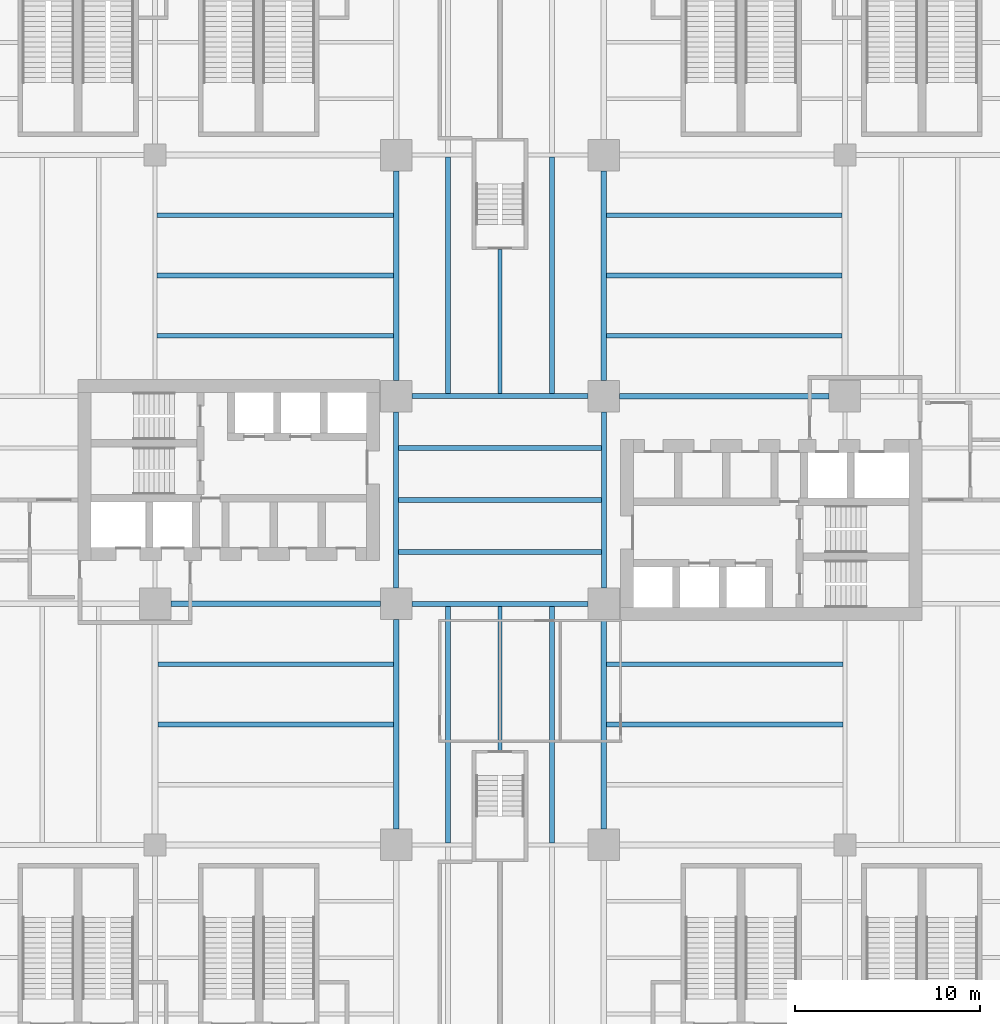
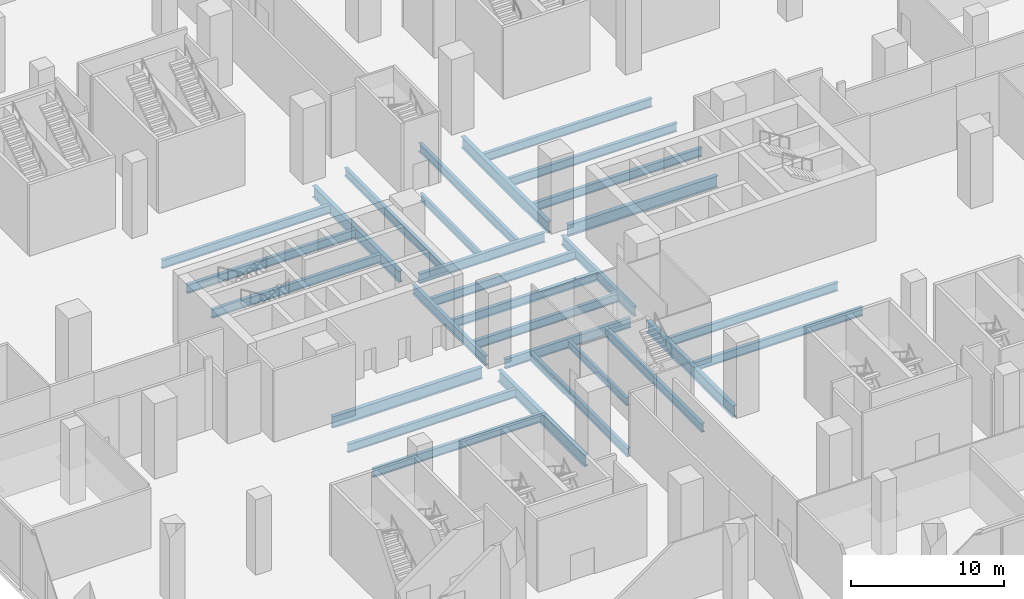
# One storey, part 12 of 41: 29 beams.
"""IFC4 building model written with IfcOpenShell, lengths in metres."""

from ifc_helpers import new_model, si_unit, direction, frame, origin, origin_2d, place, context, subcontext, project, spatial, i_section, extrude, source, transform, mapped, material, material_profile, profile_set, type_object, element, save


model = new_model("IFC4")

# Units and contexts
model_context = context("Model", 3, precision=1e-05, world=origin(), true_north=direction((0.0, 1.0)))
body_context = subcontext(model_context, "Body", "Model", "MODEL_VIEW")
ifc_project = project(units=[si_unit("LENGTHUNIT", "METRE"), si_unit("AREAUNIT", "SQUARE_METRE"), si_unit("VOLUMEUNIT", "CUBIC_METRE"), si_unit("PLANEANGLEUNIT", "RADIAN"), si_unit("MASSUNIT", "GRAM", prefix="KILO")], contexts=[model_context])

# Site, building, storey
site_placement = place(None, origin())
site = spatial("IfcSite", under=ifc_project, at=site_placement, CompositionType="ELEMENT")
building_placement = place(site_placement, origin())
building = spatial("IfcBuilding", under=site, at=building_placement, Name="Trellis Farm Tower", CompositionType="ELEMENT")
storey_placement = place(building_placement, frame((0.0, 0.0, 8.0)))
storey = spatial("IfcBuildingStorey", under=building, at=storey_placement, Name="L01", CompositionType="ELEMENT", Elevation=8.0)

# Beams
ifc_material = material(Name="Steel S355", Category="steel")
ifc_material_profile_1 = material_profile(ifc_material, i_section(OverallWidth=0.2666015625, OverallDepth=0.76220703125, WebThickness=0.014404296875, FlangeThickness=0.021484375, FilletRadius=0.0166015625, at=origin_2d()), Name="UB 762x267x173")
ifc_profile_set_1 = profile_set([ifc_material_profile_1], Name="Steel S355")
beam_type_1 = type_object("IfcBeamType", Name="UB 762x267x173", PredefinedType="BEAM", material=ifc_profile_set_1)
shared_shape_1 = source(origin(), body_context, "Body", "SweptSolid", [
    extrude(i_section(OverallWidth=0.2666015625, OverallDepth=0.76220703125, WebThickness=0.014404296875, FlangeThickness=0.021484375, FilletRadius=0.0166015625, at=origin_2d()), origin(), (0.0, 0.0, 1.0), 9.5),
])
for number, where, z_axis, x_axis, name in (
    (1, (-4.75, -5.60009765625, -0.68115234375), (1.0, 0.0, 0.0), (0.0, 1.0, 0.0), "Girder"),
    (2, (-4.75, 5.60009765625, -0.68115234375), (1.0, 0.0, 0.0), (0.0, 1.0, 0.0), "Girder"),
    (3, (-5.60009765625, -4.75, -0.68115234375), (0.0, 1.0, 0.0), (-1.0, 0.0, 0.0), "Girder"),
    (4, (5.60009765625, -4.75, -0.68115234375), (0.0, 1.0, 0.0), (-1.0, 0.0, 0.0), "Girder"),
):
    element("IfcBeam", number, at=place(storey_placement, frame(where, z_axis=z_axis, x_axis=x_axis)), inside=storey, type_object=beam_type_1, Name=name, PredefinedType="BEAM", context=body_context, shape_type="MappedRepresentation", body=[
        mapped(shared_shape_1, transform((0.0, 0.0, 0.0))),
    ])
ifc_material_profile_2 = material_profile(ifc_material, i_section(OverallWidth=0.305419921875, OverallDepth=0.91845703125, WebThickness=0.017333984375, FlangeThickness=0.02783203125, FilletRadius=0.01904296875, at=origin_2d()), Name="UB 914x305x253")
ifc_profile_set_2 = profile_set([ifc_material_profile_2], Name="Steel S355")
beam_type_2 = type_object("IfcBeamType", Name="UB 914x305x253", PredefinedType="BEAM", material=ifc_profile_set_2)
shared_shape_2 = source(origin(), body_context, "Body", "SweptSolid", [
    extrude(i_section(OverallWidth=0.305419921875, OverallDepth=0.91845703125, WebThickness=0.017333984375, FlangeThickness=0.02783203125, FilletRadius=0.01904296875, at=origin_2d()), origin(), (0.0, 0.0, 1.0), 11.300048828125),
])
for number, where, z_axis, x_axis, name in (
    (5, (-17.75, -5.60009765625, -0.75927734375), (1.0, 0.0, 0.0), (0.0, 1.0, 0.0), "Girder"),
    (6, (6.449951171875, 5.60009765625, -0.75927734375), (1.0, 0.0, 0.0), (0.0, 1.0, 0.0), "Girder"),
    (7, (-5.60009765625, -17.75, -0.75927734375), (0.0, 1.0, 0.0), (-1.0, 0.0, 0.0), "Girder"),
    (8, (-5.60009765625, 6.449951171875, -0.75927734375), (0.0, 1.0, 0.0), (-1.0, 0.0, 0.0), "Girder"),
    (9, (5.60009765625, -17.75, -0.75927734375), (0.0, 1.0, 0.0), (-1.0, 0.0, 0.0), "Girder"),
    (10, (5.60009765625, 6.449951171875, -0.75927734375), (0.0, 1.0, 0.0), (-1.0, 0.0, 0.0), "Girder"),
):
    element("IfcBeam", number, at=place(storey_placement, frame(where, z_axis=z_axis, x_axis=x_axis)), inside=storey, type_object=beam_type_2, Name=name, PredefinedType="BEAM", context=body_context, shape_type="MappedRepresentation", body=[
        mapped(shared_shape_2, transform((0.0, 0.0, 0.0))),
    ])
ifc_material_profile_3 = material_profile(ifc_material, i_section(OverallWidth=0.253662109375, OverallDepth=0.68359375, WebThickness=0.012451171875, FlangeThickness=0.021728515625, FilletRadius=0.01513671875, at=origin_2d()), Name="UB 686x254x140")
ifc_profile_set_3 = profile_set([ifc_material_profile_3], Name="Steel S355")
beam_type_3 = type_object("IfcBeamType", Name="UB 686x254x140 joist", PredefinedType="JOIST", material=ifc_profile_set_3)
shared_shape_3 = source(origin(), body_context, "Body", "SweptSolid", [
    extrude(i_section(OverallWidth=0.253662109375, OverallDepth=0.68359375, WebThickness=0.012451171875, FlangeThickness=0.021728515625, FilletRadius=0.01513671875, at=origin_2d()), origin(), (0.0, 0.0, 1.0), 12.694580078125),
])
for number, where, z_axis, x_axis, name in (
    (11, (-18.447265625, -12.10009765625, -0.641845703125), (1.0, 0.0, 0.0), (0.0, 1.0, 0.0), "Floor beam"),
    (12, (-18.447265625, -8.85009765625, -0.641845703125), (1.0, 0.0, 0.0), (0.0, 1.0, 0.0), "Floor beam"),
    (13, (5.752685546875, 8.85009765625, -0.641845703125), (1.0, 0.0, 0.0), (0.0, 1.0, 0.0), "Floor beam"),
    (14, (5.752685546875, 12.10009765625, -0.641845703125), (1.0, 0.0, 0.0), (0.0, 1.0, 0.0), "Floor beam"),
    (15, (5.752685546875, 15.35009765625, -0.641845703125), (1.0, 0.0, 0.0), (0.0, 1.0, 0.0), "Floor beam"),
):
    element("IfcBeam", number, at=place(storey_placement, frame(where, z_axis=z_axis, x_axis=x_axis)), inside=storey, type_object=beam_type_3, Name=name, PredefinedType="JOIST", context=body_context, shape_type="MappedRepresentation", body=[
        mapped(shared_shape_3, transform((0.0, 0.0, 0.0))),
    ])
shared_shape_4 = source(origin(), body_context, "Body", "SweptSolid", [
    extrude(i_section(OverallWidth=0.253662109375, OverallDepth=0.68359375, WebThickness=0.012451171875, FlangeThickness=0.021728515625, FilletRadius=0.01513671875, at=origin_2d()), origin(), (0.0, 0.0, 1.0), 12.73291015625),
])
for number, where, z_axis, x_axis, name in (
    (16, (5.752685546875, -12.10009765625, -0.641845703125), (1.0, 0.0, 0.0), (0.0, 1.0, 0.0), "Floor beam"),
    (17, (5.752685546875, -8.85009765625, -0.641845703125), (1.0, 0.0, 0.0), (0.0, 1.0, 0.0), "Floor beam"),
    (18, (-18.485595703125, 8.85009765625, -0.641845703125), (1.0, 0.0, 0.0), (0.0, 1.0, 0.0), "Floor beam"),
    (19, (-18.485595703125, 12.10009765625, -0.641845703125), (1.0, 0.0, 0.0), (0.0, 1.0, 0.0), "Floor beam"),
    (20, (-18.485595703125, 15.35009765625, -0.641845703125), (1.0, 0.0, 0.0), (0.0, 1.0, 0.0), "Floor beam"),
):
    element("IfcBeam", number, at=place(storey_placement, frame(where, z_axis=z_axis, x_axis=x_axis)), inside=storey, type_object=beam_type_3, Name=name, PredefinedType="JOIST", context=body_context, shape_type="MappedRepresentation", body=[
        mapped(shared_shape_4, transform((0.0, 0.0, 0.0))),
    ])
shared_shape_5 = source(origin(), body_context, "Body", "SweptSolid", [
    extrude(i_section(OverallWidth=0.253662109375, OverallDepth=0.68359375, WebThickness=0.012451171875, FlangeThickness=0.021728515625, FilletRadius=0.01513671875, at=origin_2d()), origin(), (0.0, 0.0, 1.0), 10.93310546875),
])
for number, where, z_axis, x_axis, name in (
    (21, (-5.466552734375, -2.800048828125, -0.641845703125), (1.0, 0.0, 0.0), (0.0, 1.0, 0.0), "Floor beam"),
    (22, (-5.466552734375, 0.0, -0.641845703125), (1.0, 0.0, 0.0), (0.0, 1.0, 0.0), "Floor beam"),
    (23, (-5.466552734375, 2.800048828125, -0.641845703125), (1.0, 0.0, 0.0), (0.0, 1.0, 0.0), "Floor beam"),
):
    element("IfcBeam", number, at=place(storey_placement, frame(where, z_axis=z_axis, x_axis=x_axis)), inside=storey, type_object=beam_type_3, Name=name, PredefinedType="JOIST", context=body_context, shape_type="MappedRepresentation", body=[
        mapped(shared_shape_5, transform((0.0, 0.0, 0.0))),
    ])
shared_shape_6 = source(origin(), body_context, "Body", "SweptSolid", [
    extrude(i_section(OverallWidth=0.253662109375, OverallDepth=0.68359375, WebThickness=0.012451171875, FlangeThickness=0.021728515625, FilletRadius=0.01513671875, at=origin_2d()), origin(), (0.0, 0.0, 1.0), 12.752197265625),
])
for number, where, z_axis, x_axis, name in (
    (24, (-2.800048828125, -18.485595703125, -0.641845703125), (0.0, 1.0, 0.0), (-1.0, 0.0, 0.0), "Floor beam"),
    (25, (-2.800048828125, 5.7333984375, -0.641845703125), (0.0, 1.0, 0.0), (-1.0, 0.0, 0.0), "Floor beam"),
    (26, (2.800048828125, -18.485595703125, -0.641845703125), (0.0, 1.0, 0.0), (-1.0, 0.0, 0.0), "Floor beam"),
    (27, (2.800048828125, 5.7333984375, -0.641845703125), (0.0, 1.0, 0.0), (-1.0, 0.0, 0.0), "Floor beam"),
):
    element("IfcBeam", number, at=place(storey_placement, frame(where, z_axis=z_axis, x_axis=x_axis)), inside=storey, type_object=beam_type_3, Name=name, PredefinedType="JOIST", context=body_context, shape_type="MappedRepresentation", body=[
        mapped(shared_shape_6, transform((0.0, 0.0, 0.0))),
    ])
ifc_material_profile_4 = material_profile(ifc_material, i_section(OverallWidth=0.2275390625, OverallDepth=0.6025390625, WebThickness=0.010498046875, FlangeThickness=0.014892578125, FilletRadius=0.0126953125, at=origin_2d()), Name="UB 610x229x101")
ifc_profile_set_4 = profile_set([ifc_material_profile_4], Name="Steel S355")
beam_type_4 = type_object("IfcBeamType", Name="UB 610x229x101 joist", PredefinedType="JOIST", material=ifc_profile_set_4)
shared_shape_7 = source(origin(), body_context, "Body", "SweptSolid", [
    extrude(i_section(OverallWidth=0.2275390625, OverallDepth=0.6025390625, WebThickness=0.010498046875, FlangeThickness=0.014892578125, FilletRadius=0.0126953125, at=origin_2d()), origin(), (0.0, 0.0, 1.0), 7.7666015625),
])
for number, where, z_axis, x_axis, name in (
    (28, (0.0, -13.5, -0.601318359375), (0.0, 1.0, 0.0), (-1.0, 0.0, 0.0), "Floor beam"),
    (29, (0.0, 5.7333984375, -0.601318359375), (0.0, 1.0, 0.0), (-1.0, 0.0, 0.0), "Floor beam"),
):
    element("IfcBeam", number, at=place(storey_placement, frame(where, z_axis=z_axis, x_axis=x_axis)), inside=storey, type_object=beam_type_4, Name=name, PredefinedType="JOIST", context=body_context, shape_type="MappedRepresentation", body=[
        mapped(shared_shape_7, transform((0.0, 0.0, 0.0))),
    ])

save(model, "model.ifc")
